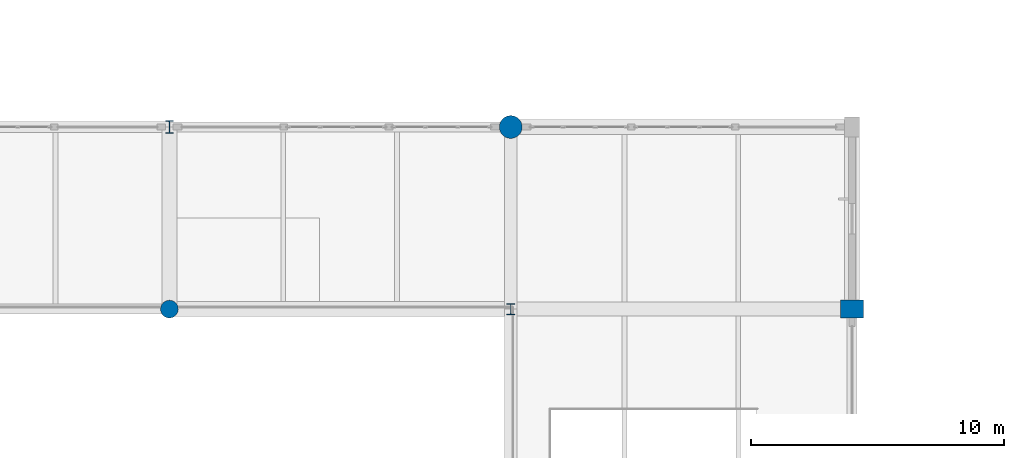
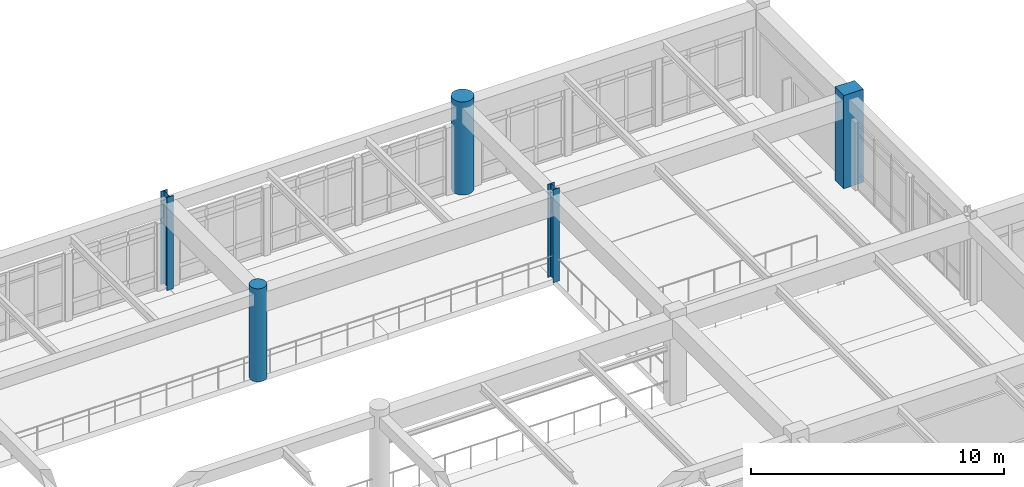
# One storey, part 7 of 80: 5 columns.
"""IFC4 building model written with IfcOpenShell, lengths in metres."""

import ifcopenshell
import ifcopenshell.guid

model = None  # the IFC model being written
_history = None  # IfcOwnerHistory: only IFC2X3 demands one
_inside = {}  # id of a spatial element -> (the spatial element, [elements in it])
_under = {}  # id of a project, library or spatial element -> (it, [spatial elements below it])
_declared = {}  # id of a project -> (the project, [libraries it declares])
_typed = {}  # id of a type object -> (the type object, [elements of that type])
_made_of = {}  # id of a material, layer set ... -> (it, [elements and type objects made of it])


def new_model(schema):
    """Start an empty IFC model of exactly this schema.

    Asked for "IFC4X3", IfcOpenShell would pick the latest addendum, in which some entities
    have other attributes; the version numbers below select the first issue.
    IFC2X3 requires an IfcOwnerHistory on every rooted entity: one is made here for all.
    """
    global model, _history
    if schema == "IFC4X3":
        model = ifcopenshell.file(schema_version=(4, 3, 0, 0))
    else:
        model = ifcopenshell.file(schema=schema)
    _inside.clear()
    _under.clear()
    _declared.clear()
    _typed.clear()
    _made_of.clear()
    _history = None
    if model.schema == "IFC2X3":
        org = make("IfcOrganization", Name="unknown")
        user = make(
            "IfcPersonAndOrganization",
            ThePerson=make("IfcPerson", FamilyName="unknown"),
            TheOrganization=org,
        )
        app = make(
            "IfcApplication",
            ApplicationDeveloper=org,
            Version="unknown",
            ApplicationFullName="unknown",
            ApplicationIdentifier="unknown",
        )
        _history = make(
            "IfcOwnerHistory",
            OwningUser=user,
            OwningApplication=app,
            ChangeAction="ADDED",
            CreationDate=0,
        )
    return model


def make(cls, **values):
    """One entity of the class cls with the attributes given. An attribute that is None is left unset."""
    return model.create_entity(
        cls, **{name: value for name, value in values.items() if value is not None}
    )


def rooted(cls, **values):
    """An entity with a GlobalId (a new one), such as an element, a storey or a relation."""
    return make(cls, GlobalId=ifcopenshell.guid.new(), OwnerHistory=_history, **values)


def si_unit(unit_type, name, prefix=None):
    """IfcSIUnit, for example si_unit("LENGTHUNIT", "METRE", prefix="MILLI")."""
    return make("IfcSIUnit", UnitType=unit_type, Prefix=prefix, Name=name)


def assignment(units):
    """IfcUnitAssignment: the units of a project."""
    return None if units is None else make("IfcUnitAssignment", Units=units)


def point(xyz):
    """IfcCartesianPoint."""
    return None if xyz is None else make("IfcCartesianPoint", Coordinates=xyz)


def direction(xyz):
    """IfcDirection."""
    return None if xyz is None else make("IfcDirection", DirectionRatios=xyz)


def frame(location, z_axis=None, x_axis=None):
    """IfcAxis2Placement3D, a coordinate frame: its origin and axes. An axis left out is left unset."""
    return make(
        "IfcAxis2Placement3D",
        Location=point(location),
        Axis=direction(z_axis),
        RefDirection=direction(x_axis),
    )


def frame_2d(location, x_axis=None):
    """IfcAxis2Placement2D, a coordinate frame in the plane: its origin and x axis."""
    return make(
        "IfcAxis2Placement2D", Location=point(location), RefDirection=direction(x_axis)
    )


def origin():
    """The frame at (0, 0, 0) with its axes left unset."""
    return frame((0.0, 0.0, 0.0))


def origin_2d():
    """The frame at (0, 0) in the plane with its x axis left unset."""
    return frame_2d((0.0, 0.0))


def place(relative_to, where):
    """IfcLocalPlacement: puts the frame where relative to a parent placement (None: the world)."""
    return make(
        "IfcLocalPlacement", PlacementRelTo=relative_to, RelativePlacement=where
    )


def context(
    kind, dimensions, precision=None, world=None, true_north=None, identifier=None
):
    """IfcGeometricRepresentationContext, for example the 3D "Model" context."""
    return make(
        "IfcGeometricRepresentationContext",
        ContextIdentifier=identifier,
        ContextType=kind,
        CoordinateSpaceDimension=dimensions,
        Precision=precision,
        WorldCoordinateSystem=world,
        TrueNorth=true_north,
    )


def subcontext(parent, identifier, kind, view, scale=None):
    """IfcGeometricRepresentationSubContext, for example "Body" below "Model"."""
    return make(
        "IfcGeometricRepresentationSubContext",
        ContextIdentifier=identifier,
        ContextType=kind,
        ParentContext=parent,
        TargetScale=scale,
        TargetView=view,
    )


def project(units=None, contexts=None):
    """IfcProject with its units and contexts."""
    return rooted(
        "IfcProject",
        Name="project",
        RepresentationContexts=contexts,
        UnitsInContext=assignment(units),
    )


def spatial(cls, under=None, at=None, **own):
    """A site, building, storey or space (cls), placed at a placement, below another one or the project."""
    s = rooted(cls, ObjectPlacement=at, **own)
    if under is not None:
        _under.setdefault(under.id(), (under, []))[1].append(s)
    return s


def profile(cls, at=None, kind="AREA", **sizes):
    """A parametric profile (cls). Its sizes go by their IFC names, for example OverallWidth=200.0."""
    return make(cls, ProfileType=kind, Position=at, **sizes)


def rectangle(**sizes):
    """IfcRectangleProfileDef."""
    return profile("IfcRectangleProfileDef", **sizes)


def circle(**sizes):
    """IfcCircleProfileDef."""
    return profile("IfcCircleProfileDef", **sizes)


def i_section(**sizes):
    """IfcIShapeProfileDef."""
    return profile("IfcIShapeProfileDef", **sizes)


def extrude(swept, where, along, depth):
    """IfcExtrudedAreaSolid: the profile swept, set in the frame where, extruded along a direction by depth."""
    return make(
        "IfcExtrudedAreaSolid",
        SweptArea=swept,
        Position=where,
        ExtrudedDirection=direction(along),
        Depth=depth,
    )


def shape(context_of_items, identifier, shape_type, items):
    """IfcShapeRepresentation: the items that make up one representation, for example the "Body"."""
    return make(
        "IfcShapeRepresentation",
        ContextOfItems=context_of_items,
        RepresentationIdentifier=identifier,
        RepresentationType=shape_type,
        Items=items,
    )


def material(Name=None, Category=None):
    """IfcMaterial."""
    return make("IfcMaterial", Name=Name, Category=Category)


def material_profile(
    of_material, cross_section, Name=None, Category=None, Priority=None
):
    """IfcMaterialProfile: a cross section and its material."""
    return make(
        "IfcMaterialProfile",
        Name=Name,
        Material=of_material,
        Profile=cross_section,
        Priority=Priority,
        Category=Category,
    )


def profile_set(profiles, Name=None, composite=None):
    """IfcMaterialProfileSet."""
    return make(
        "IfcMaterialProfileSet",
        Name=Name,
        MaterialProfiles=profiles,
        CompositeProfile=composite,
    )


def made_of(thing, what):
    """Note that an element or type object is made of a material, layer set ...; save() writes the relation."""
    if what is not None:
        _made_of.setdefault(what.id(), (what, []))[1].append(thing)
    return thing


def type_object(cls, material=None, **own):
    """A type object (cls), such as IfcWallType, which elements share."""
    return made_of(rooted(cls, **own), material)


def element(
    cls,
    number,
    at=None,
    inside=None,
    cuts=None,
    type_object=None,
    material=None,
    context=None,
    identifier="Body",
    shape_type=None,
    held_by="IfcProductDefinitionShape",
    body=None,
    shapes=None,
    **own,
):
    """One element of the class cls, such as IfcWall. Its Tag is "e" and its number.

    at: its placement. inside: the storey or other place that contains it. cuts: it is an
    opening in that element (IfcRelVoidsElement). A single representation is given by context,
    identifier, shape_type and body (its items); several are given by shapes. held_by: the class
    of the entity that holds the representations. save() writes the other relations.
    """
    e = rooted(cls, Tag="e%d" % number, ObjectPlacement=at, **own)
    if body is not None:
        shapes = [shape(context, identifier, shape_type, body)]
    if shapes is not None:
        e.Representation = make(held_by, Representations=shapes)
    if inside is not None:
        _inside.setdefault(inside.id(), (inside, []))[1].append(e)
    if cuts is not None:
        rooted(
            "IfcRelVoidsElement", RelatingBuildingElement=cuts, RelatedOpeningElement=e
        )
    if type_object is not None:
        _typed.setdefault(type_object.id(), (type_object, []))[1].append(e)
    return made_of(e, material)


def aggregate(whole, parts):
    """IfcRelAggregates: a whole, such as a stair, and the parts it consists of."""
    return rooted("IfcRelAggregates", RelatingObject=whole, RelatedObjects=parts)


def save(model, path):
    """Write the relations noted so far, then the file.

    IfcRelAggregates (storeys below a building ...), IfcRelContainedInSpatialStructure (elements
    in a storey), IfcRelDefinesByType, IfcRelAssociatesMaterial and IfcRelDeclares: one each for
    every whole, place, type object, material and project.
    """
    for whole, parts in _under.values():
        aggregate(whole, parts)
    for where, things in _inside.values():
        rooted(
            "IfcRelContainedInSpatialStructure",
            RelatedElements=things,
            RelatingStructure=where,
        )
    for kind, things in _typed.values():
        rooted("IfcRelDefinesByType", RelatedObjects=things, RelatingType=kind)
    for what, things in _made_of.values():
        rooted("IfcRelAssociatesMaterial", RelatedObjects=things, RelatingMaterial=what)
    for by, libraries in _declared.values():
        rooted("IfcRelDeclares", RelatingContext=by, RelatedDefinitions=libraries)
    model.write(path)


model = new_model("IFC4")

# Units and contexts
model_context = context("Model", 3, precision=1e-05, world=origin(), true_north=direction((0.0, 1.0)))
body_context = subcontext(model_context, "Body", "Model", "MODEL_VIEW")
ifc_project = project(units=[si_unit("LENGTHUNIT", "METRE"), si_unit("AREAUNIT", "SQUARE_METRE"), si_unit("VOLUMEUNIT", "CUBIC_METRE"), si_unit("PLANEANGLEUNIT", "RADIAN"), si_unit("MASSUNIT", "GRAM", prefix="KILO")], contexts=[model_context])

# Site, building, storey
site_placement = place(None, origin())
site = spatial("IfcSite", under=ifc_project, at=site_placement, CompositionType="ELEMENT")
building_placement = place(site_placement, origin())
building = spatial("IfcBuilding", under=site, at=building_placement, Name="Fikremerkos Civic Library", CompositionType="ELEMENT")
storey_placement = place(building_placement, frame((0.0, 0.0, 9.89990234375)))
storey = spatial("IfcBuildingStorey", under=building, at=storey_placement, Name="L02", CompositionType="ELEMENT", Elevation=9.89990234375)

# Columns
ifc_material_1 = material(Name="Concrete C40/50", Category="concrete")
ifc_material_profile_1 = material_profile(ifc_material_1, rectangle(XDim=0.89990234375, YDim=0.699951171875, at=origin_2d()), Name="RC 900x700")
ifc_profile_set_1 = profile_set([ifc_material_profile_1], Name="Concrete C40/50")
column_type_1 = type_object("IfcColumnType", Name="Structural column COL-13 RC 900x700", PredefinedType="COLUMN", material=ifc_profile_set_1)
column_1_placement = place(storey_placement, frame((100.199951171875, 40.800048828125, 0.0), z_axis=(0.0, 0.0, 1.0), x_axis=(1.0, 0.0, 0.0)))
element("IfcColumn", 1, at=column_1_placement, inside=storey, type_object=column_type_1, Name="Column COL-13 L02 9/H", PredefinedType="COLUMN", context=body_context, shape_type="SweptSolid", body=[
    extrude(rectangle(XDim=0.89990234375, YDim=0.699951171875, at=origin_2d()), origin(), (0.0, 0.0, 1.0), 4.5),
])
ifc_material_2 = material(Name="Concrete C45/55", Category="concrete")
ifc_material_profile_2 = material_profile(ifc_material_2, circle(Radius=0.449951171875, at=origin_2d()), Name="RC D900")
ifc_profile_set_2 = profile_set([ifc_material_profile_2], Name="Concrete C45/55")
column_type_2 = type_object("IfcColumnType", Name="Structural column COL-17 RC D900", PredefinedType="COLUMN", material=ifc_profile_set_2)
column_2_placement = place(storey_placement, frame((86.699951171875, 48.0, 0.0), z_axis=(0.0, 0.0, 1.0), x_axis=(1.0, 0.0, 0.0)))
element("IfcColumn", 2, at=column_2_placement, inside=storey, type_object=column_type_2, Name="Column COL-17 L02 8/J", PredefinedType="COLUMN", context=body_context, shape_type="SweptSolid", body=[
    extrude(circle(Radius=0.449951171875, at=origin_2d()), origin(), (0.0, 0.0, 1.0), 4.5),
])
ifc_material_profile_3 = material_profile(ifc_material_1, circle(Radius=0.35009765625, at=origin_2d()), Name="RC D700")
ifc_profile_set_3 = profile_set([ifc_material_profile_3], Name="Concrete C40/50")
column_type_3 = type_object("IfcColumnType", Name="Structural column COL-19 RC D700", PredefinedType="COLUMN", material=ifc_profile_set_3)
column_3_placement = place(storey_placement, frame((73.199951171875, 40.800048828125, 0.0), z_axis=(0.0, 0.0, 1.0), x_axis=(1.0, 0.0, 0.0)))
element("IfcColumn", 3, at=column_3_placement, inside=storey, type_object=column_type_3, Name="Column COL-19 L02 7/H", PredefinedType="COLUMN", context=body_context, shape_type="SweptSolid", body=[
    extrude(circle(Radius=0.35009765625, at=origin_2d()), origin(), (0.0, 0.0, 1.0), 4.5),
])
ifc_material_3 = material(Name="Steel S355", Category="steel")
ifc_material_profile_4 = material_profile(ifc_material_3, i_section(OverallWidth=0.300048828125, OverallDepth=0.5, WebThickness=0.014404296875, FlangeThickness=0.028076171875, FilletRadius=0.027099609375, at=origin_2d()), Name="HEB 500")
ifc_profile_set_4 = profile_set([ifc_material_profile_4], Name="Steel S355")
column_type_4 = type_object("IfcColumnType", Name="Structural column COL-22 HEB 500", PredefinedType="COLUMN", material=ifc_profile_set_4)
column_4_placement = place(storey_placement, frame((73.199951171875, 48.0, 0.0), z_axis=(0.0, 0.0, 1.0), x_axis=(1.0, 0.0, 0.0)))
element("IfcColumn", 4, at=column_4_placement, inside=storey, type_object=column_type_4, Name="Column COL-22 L02 7/J", PredefinedType="COLUMN", context=body_context, shape_type="SweptSolid", body=[
    extrude(i_section(OverallWidth=0.300048828125, OverallDepth=0.5, WebThickness=0.014404296875, FlangeThickness=0.028076171875, FilletRadius=0.027099609375, at=origin_2d()), origin(), (0.0, 0.0, 1.0), 4.5),
])
ifc_material_profile_5 = material_profile(ifc_material_3, i_section(OverallWidth=0.300048828125, OverallDepth=0.43994140625, WebThickness=0.011474609375, FlangeThickness=0.02099609375, FilletRadius=0.027099609375, at=origin_2d()), Name="HEA 450")
ifc_profile_set_5 = profile_set([ifc_material_profile_5], Name="Steel S355")
column_type_5 = type_object("IfcColumnType", Name="Structural column COL-28 HEA 450", PredefinedType="COLUMN", material=ifc_profile_set_5)
column_5_placement = place(storey_placement, frame((86.699951171875, 40.800048828125, 0.0), z_axis=(0.0, 0.0, 1.0), x_axis=(1.0, 0.0, 0.0)))
element("IfcColumn", 5, at=column_5_placement, inside=storey, type_object=column_type_5, Name="Column COL-28 L02 8/H", PredefinedType="COLUMN", context=body_context, shape_type="SweptSolid", body=[
    extrude(i_section(OverallWidth=0.300048828125, OverallDepth=0.43994140625, WebThickness=0.011474609375, FlangeThickness=0.02099609375, FilletRadius=0.027099609375, at=origin_2d()), origin(), (0.0, 0.0, 1.0), 4.5),
])

save(model, "model.ifc")
